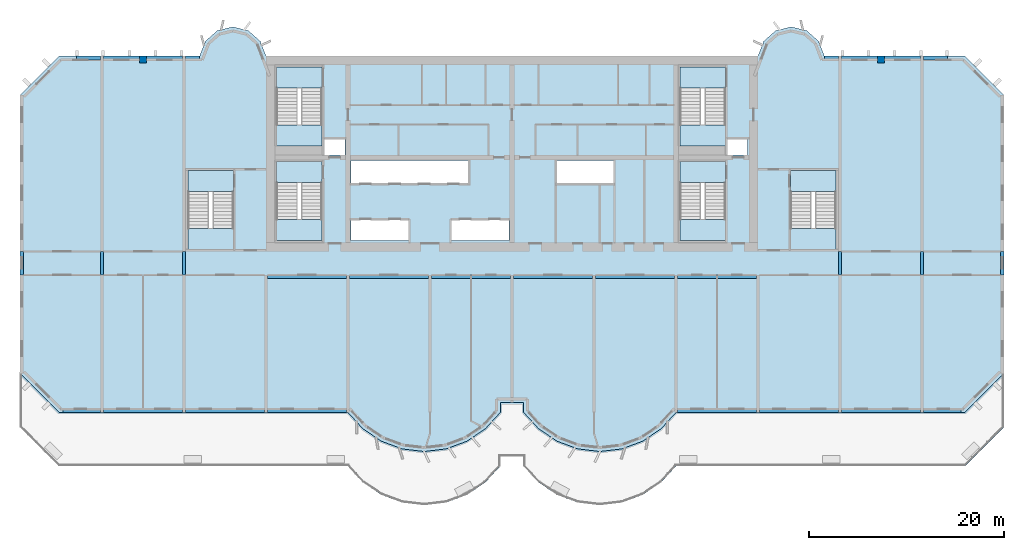
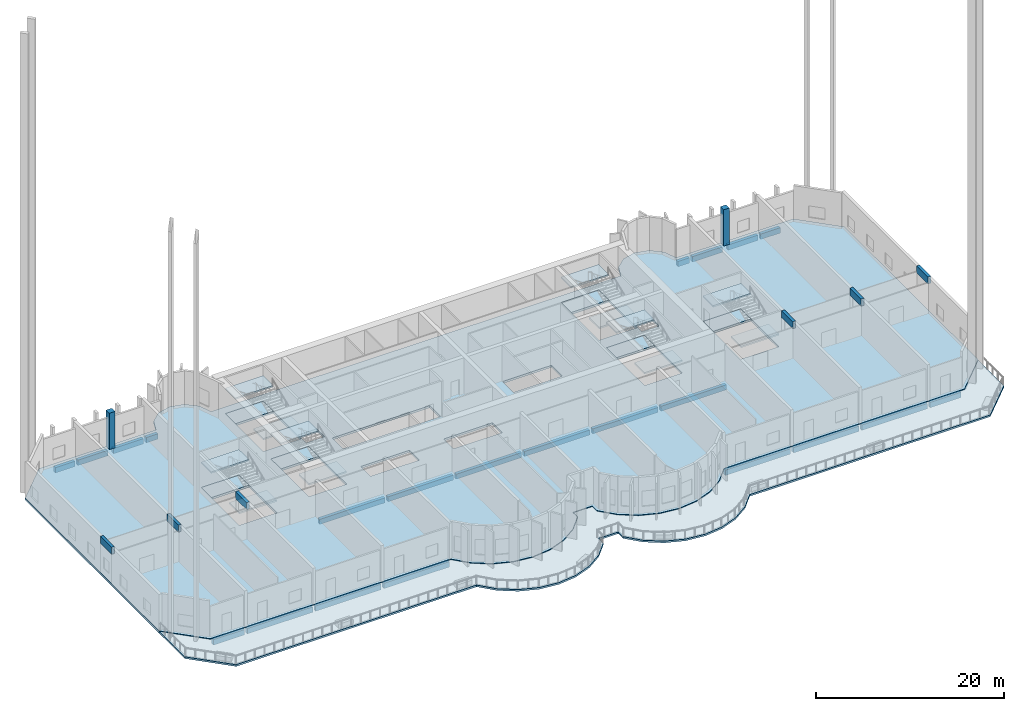
# One storey, part 1 of 13: 28 beams, 20 slabs, 2 columns, 6 elements without a shape of their own.
"""IFC4 building model written with IfcOpenShell, lengths in metres."""

from ifc_helpers import new_model, si_unit, direction, frame, origin, origin_2d, place, context, subcontext, project, spatial, polyline, rectangle, outline, extrude, source, transform, mapped, material, layer, layer_set, material_profile, profile_set, type_object, element, aggregate, save


model = new_model("IFC4")

# Units and contexts
model_context = context("Model", 3, precision=1e-05, world=origin(), true_north=direction((0.0, 1.0)))
body_context = subcontext(model_context, "Body", "Model", "MODEL_VIEW")
ifc_project = project(units=[si_unit("LENGTHUNIT", "METRE"), si_unit("AREAUNIT", "SQUARE_METRE"), si_unit("VOLUMEUNIT", "CUBIC_METRE"), si_unit("PLANEANGLEUNIT", "RADIAN"), si_unit("MASSUNIT", "GRAM", prefix="KILO")], contexts=[model_context])

# Site, building, storey
site_placement = place(None, origin())
site = spatial("IfcSite", under=ifc_project, at=site_placement, CompositionType="ELEMENT")
building_placement = place(site_placement, origin())
building = spatial("IfcBuilding", under=site, at=building_placement, Name="Vanashikhar Sky Hotel", CompositionType="ELEMENT")
storey_placement = place(building_placement, frame((0.0, 0.0, 86.39990234375)))
storey = spatial("IfcBuildingStorey", under=building, at=storey_placement, Name="L20", CompositionType="ELEMENT", Elevation=86.39990234375)

# Columns
ifc_material_1 = material(Name="Concrete M60", Category="concrete")
ifc_material_profile_1 = material_profile(ifc_material_1, rectangle(XDim=0.699951171875, YDim=0.699951171875, at=origin_2d()))
ifc_profile_set_1 = profile_set([ifc_material_profile_1], Name="RC 700x700 column Concrete M60")
column_type = type_object("IfcColumnType", Name="RC 700x700 column Concrete M60", PredefinedType="COLUMN", material=ifc_profile_set_1)
shared_shape_1 = source(origin(), body_context, "Body", "SweptSolid", [
    extrude(rectangle(XDim=0.699951171875, YDim=0.699951171875, at=origin_2d()), origin(), (0.0, 0.0, 1.0), 4.72021484375),
])
for number, where, z_axis, x_axis, name in (
    (1, (12.60009765625, 41.64990234375, 0.0), (0.0, 0.0, 1.0), (1.0, 0.0, 0.0), "CL-L20-CR02"),
    (2, (88.199951171875, 41.64990234375, 0.0), (0.0, 0.0, 1.0), (1.0, 0.0, 0.0), "CL-L20-CR11"),
):
    element("IfcColumn", number, at=place(storey_placement, frame(where, z_axis=z_axis, x_axis=x_axis)), inside=storey, type_object=column_type, Name=name, PredefinedType="COLUMN", context=body_context, shape_type="MappedRepresentation", body=[
        mapped(shared_shape_1, transform((0.0, 0.0, 0.0), scale=1.0)),
    ])

# Beams
ifc_material_2 = material(Name="Concrete M50", Category="concrete")
ifc_material_profile_2 = material_profile(ifc_material_2, rectangle(XDim=0.35009765625, YDim=0.89990234375, at=origin_2d()))
ifc_profile_set_2 = profile_set([ifc_material_profile_2], Name="RC 350x900 beam Concrete M50")
beam_type_1 = type_object("IfcBeamType", Name="RC 350x900 beam Concrete M50", PredefinedType="LINTEL", material=ifc_profile_set_2)
shared_shape_2 = source(origin(), body_context, "Body", "SweptSolid", [
    extrude(rectangle(XDim=0.35009765625, YDim=0.89990234375, at=origin_2d()), origin(), (0.0, 0.0, 1.0), 2.39990234375),
])
for number, where, z_axis, x_axis, name in (
    (3, (0.175048828125, 19.60009765625, 4.27001953125), (0.0, 1.0, 0.0), (-1.0, 0.0, 0.0), "LB-L20-XW01"),
    (4, (8.39990234375, 19.60009765625, 4.27001953125), (0.0, 1.0, 0.0), (-1.0, 0.0, 0.0), "LB-L20-XW02"),
    (5, (16.800048828125, 19.60009765625, 4.27001953125), (0.0, 1.0, 0.0), (-1.0, 0.0, 0.0), "LB-L20-XW03"),
    (6, (84.0, 19.60009765625, 4.27001953125), (0.0, 1.0, 0.0), (-1.0, 0.0, 0.0), "LB-L20-XW11"),
    (7, (92.39990234375, 19.60009765625, 4.27001953125), (0.0, 1.0, 0.0), (-1.0, 0.0, 0.0), "LB-L20-XW12"),
    (8, (100.625, 19.60009765625, 4.27001953125), (0.0, 1.0, 0.0), (-1.0, 0.0, 0.0), "LB-L20-XW13"),
):
    element("IfcBeam", number, at=place(storey_placement, frame(where, z_axis=z_axis, x_axis=x_axis)), inside=storey, type_object=beam_type_1, Name=name, PredefinedType="LINTEL", context=body_context, shape_type="MappedRepresentation", body=[
        mapped(shared_shape_2, transform((0.0, 0.0, 0.0), scale=1.0)),
    ])
ifc_material_profile_3 = material_profile(ifc_material_2, rectangle(XDim=0.39990234375, YDim=0.699951171875, at=origin_2d()))
ifc_profile_set_3 = profile_set([ifc_material_profile_3], Name="RC 400x700 beam Concrete M50")
beam_type_2 = type_object("IfcBeamType", Name="RC 400x700 beam Concrete M50", PredefinedType="SPANDREL", material=ifc_profile_set_3)
shared_shape_3 = source(origin(), body_context, "Body", "SweptSolid", [
    extrude(rectangle(XDim=0.39990234375, YDim=0.699951171875, at=origin_2d()), origin(), (0.0, 0.0, 1.0), 8.050048828125),
])
for number, where, z_axis, x_axis, name in (
    (9, (8.574951171875, 5.699951171875, -0.6298828125), (1.0, 0.0, 0.0), (0.0, 1.0, 0.0), "EB-L20-F01"),
    (10, (25.375, 5.699951171875, -0.6298828125), (1.0, 0.0, 0.0), (0.0, 1.0, 0.0), "EB-L20-F03"),
    (11, (67.375, 5.699951171875, -0.6298828125), (1.0, 0.0, 0.0), (0.0, 1.0, 0.0), "EB-L20-F05"),
    (12, (75.77490234375, 5.699951171875, -0.6298828125), (1.0, 0.0, 0.0), (0.0, 1.0, 0.0), "EB-L20-F06"),
    (13, (84.175048828125, 5.699951171875, -0.6298828125), (1.0, 0.0, 0.0), (0.0, 1.0, 0.0), "EB-L20-F07"),
):
    element("IfcBeam", number, at=place(storey_placement, frame(where, z_axis=z_axis, x_axis=x_axis)), inside=storey, type_object=beam_type_2, Name=name, PredefinedType="SPANDREL", context=body_context, shape_type="MappedRepresentation", body=[
        mapped(shared_shape_3, transform((0.0, 0.0, 0.0), scale=1.0)),
    ])
shared_shape_4 = source(origin(), body_context, "Body", "SweptSolid", [
    extrude(rectangle(XDim=0.39990234375, YDim=0.699951171875, at=origin_2d()), origin(), (0.0, 0.0, 1.0), 8.0498046875),
])
beam_1_placement = place(storey_placement, frame((16.97509765625, 5.699951171875, -0.6298828125), z_axis=(1.0, 0.0, 0.0), x_axis=(0.0, 1.0, 0.0)))
element("IfcBeam", 14, at=beam_1_placement, inside=storey, type_object=beam_type_2, Name="EB-L20-F02", PredefinedType="SPANDREL", context=body_context, shape_type="MappedRepresentation", body=[
    mapped(shared_shape_4, transform((0.0, 0.0, 0.0), scale=1.0)),
])
ifc_material_profile_4 = material_profile(ifc_material_2, rectangle(XDim=0.39990234375, YDim=0.699951171875, at=origin_2d()))
ifc_profile_set_4 = profile_set([ifc_material_profile_4], Name="RC 400x700 cantilever beam Concrete M50")
beam_type_3 = type_object("IfcBeamType", Name="RC 400x700 cantilever beam Concrete M50", PredefinedType="SPANDREL", material=ifc_profile_set_4)
shared_shape_5 = source(origin(), body_context, "Body", "SweptSolid", [
    extrude(rectangle(XDim=0.39990234375, YDim=0.699951171875, at=origin_2d()), origin(), (0.0, 0.0, 1.0), 3.8251953125),
])
beam_2_placement = place(storey_placement, frame((4.39990234375, 5.699951171875, -0.6298828125), z_axis=(1.0, 0.0, 0.0), x_axis=(0.0, 1.0, 0.0)))
element("IfcBeam", 15, at=beam_2_placement, inside=storey, type_object=beam_type_3, Name="EB-L20-F04", PredefinedType="SPANDREL", context=body_context, shape_type="MappedRepresentation", body=[
    mapped(shared_shape_5, transform((0.0, 0.0, 0.0), scale=1.0)),
])
shared_shape_6 = source(origin(), body_context, "Body", "SweptSolid", [
    extrude(rectangle(XDim=0.39990234375, YDim=0.699951171875, at=origin_2d()), origin(), (0.0, 0.0, 1.0), 3.824951171875),
])
beam_3_placement = place(storey_placement, frame((92.574951171875, 5.699951171875, -0.6298828125), z_axis=(1.0, 0.0, 0.0), x_axis=(0.0, 1.0, 0.0)))
element("IfcBeam", 16, at=beam_3_placement, inside=storey, type_object=beam_type_3, Name="EB-L20-F08", PredefinedType="SPANDREL", context=body_context, shape_type="MappedRepresentation", body=[
    mapped(shared_shape_6, transform((0.0, 0.0, 0.0), scale=1.0)),
])
shared_shape_7 = source(origin(), body_context, "Body", "SweptSolid", [
    extrude(rectangle(XDim=0.39990234375, YDim=0.699951171875, at=origin_2d()), origin(), (0.0, 0.0, 1.0), 3.675048828125),
])
for number, where, z_axis, x_axis, name in (
    (17, (8.574951171875, 41.800048828125, -0.6298828125), (1.0, 0.0, 0.0), (0.0, 1.0, 0.0), "EB-L20-R01"),
    (18, (12.949951171875, 41.800048828125, -0.6298828125), (1.0, 0.0, 0.0), (0.0, 1.0, 0.0), "EB-L20-R02"),
    (19, (84.175048828125, 41.800048828125, -0.6298828125), (1.0, 0.0, 0.0), (0.0, 1.0, 0.0), "EB-L20-R05"),
    (20, (88.550048828125, 41.800048828125, -0.6298828125), (1.0, 0.0, 0.0), (0.0, 1.0, 0.0), "EB-L20-R06"),
):
    element("IfcBeam", number, at=place(storey_placement, frame(where, z_axis=z_axis, x_axis=x_axis)), inside=storey, type_object=beam_type_2, Name=name, PredefinedType="SPANDREL", context=body_context, shape_type="MappedRepresentation", body=[
        mapped(shared_shape_7, transform((0.0, 0.0, 0.0), scale=1.0)),
    ])
shared_shape_8 = source(origin(), body_context, "Body", "SweptSolid", [
    extrude(rectangle(XDim=0.39990234375, YDim=0.699951171875, at=origin_2d()), origin(), (0.0, 0.0, 1.0), 2.43017578125),
])
beam_4_placement = place(storey_placement, frame((5.794921875, 41.800048828125, -0.6298828125), z_axis=(1.0, 0.0, 0.0), x_axis=(0.0, 1.0, 0.0)))
element("IfcBeam", 21, at=beam_4_placement, inside=storey, type_object=beam_type_3, Name="EB-L20-R03", PredefinedType="SPANDREL", context=body_context, shape_type="MappedRepresentation", body=[
    mapped(shared_shape_8, transform((0.0, 0.0, 0.0), scale=1.0)),
])
shared_shape_9 = source(origin(), body_context, "Body", "SweptSolid", [
    extrude(rectangle(XDim=0.39990234375, YDim=0.699951171875, at=origin_2d()), origin(), (0.0, 0.0, 1.0), 1.4248046875),
])
beam_5_placement = place(storey_placement, frame((16.97509765625, 41.800048828125, -0.6298828125), z_axis=(1.0, 0.0, 0.0), x_axis=(0.0, 1.0, 0.0)))
element("IfcBeam", 22, at=beam_5_placement, inside=storey, type_object=beam_type_3, Name="EB-L20-R04", PredefinedType="SPANDREL", context=body_context, shape_type="MappedRepresentation", body=[
    mapped(shared_shape_9, transform((0.0, 0.0, 0.0), scale=1.0)),
])
shared_shape_10 = source(origin(), body_context, "Body", "SweptSolid", [
    extrude(rectangle(XDim=0.39990234375, YDim=0.699951171875, at=origin_2d()), origin(), (0.0, 0.0, 1.0), 1.425048828125),
])
beam_6_placement = place(storey_placement, frame((82.39990234375, 41.800048828125, -0.6298828125), z_axis=(1.0, 0.0, 0.0), x_axis=(0.0, 1.0, 0.0)))
element("IfcBeam", 23, at=beam_6_placement, inside=storey, type_object=beam_type_3, Name="EB-L20-R07", PredefinedType="SPANDREL", context=body_context, shape_type="MappedRepresentation", body=[
    mapped(shared_shape_10, transform((0.0, 0.0, 0.0), scale=1.0)),
])
shared_shape_11 = source(origin(), body_context, "Body", "SweptSolid", [
    extrude(rectangle(XDim=0.39990234375, YDim=0.699951171875, at=origin_2d()), origin(), (0.0, 0.0, 1.0), 2.429931640625),
])
beam_7_placement = place(storey_placement, frame((92.574951171875, 41.800048828125, -0.6298828125), z_axis=(1.0, 0.0, 0.0), x_axis=(0.0, 1.0, 0.0)))
element("IfcBeam", 24, at=beam_7_placement, inside=storey, type_object=beam_type_3, Name="EB-L20-R08", PredefinedType="SPANDREL", context=body_context, shape_type="MappedRepresentation", body=[
    mapped(shared_shape_11, transform((0.0, 0.0, 0.0), scale=1.0)),
])
ifc_material_profile_5 = material_profile(ifc_material_2, rectangle(XDim=0.39990234375, YDim=0.64990234375, at=origin_2d()))
ifc_profile_set_5 = profile_set([ifc_material_profile_5], Name="RC 400x650 beam Concrete M50")
beam_type_4 = type_object("IfcBeamType", Name="RC 400x650 beam Concrete M50", PredefinedType="BEAM", material=ifc_profile_set_5)
shared_shape_12 = source(origin(), body_context, "Body", "SweptSolid", [
    extrude(rectangle(XDim=0.39990234375, YDim=0.64990234375, at=origin_2d()), origin(), (0.0, 0.0, 1.0), 8.050048828125),
])
for number, where, z_axis, x_axis, name in (
    (25, (25.375, 19.39990234375, -0.60498046875), (1.0, 0.0, 0.0), (0.0, 1.0, 0.0), "CB-L20-01"),
    (26, (33.77490234375, 19.39990234375, -0.60498046875), (1.0, 0.0, 0.0), (0.0, 1.0, 0.0), "CB-L20-02"),
    (27, (42.175048828125, 19.39990234375, -0.60498046875), (1.0, 0.0, 0.0), (0.0, 1.0, 0.0), "CB-L20-03"),
    (28, (50.574951171875, 19.39990234375, -0.60498046875), (1.0, 0.0, 0.0), (0.0, 1.0, 0.0), "CB-L20-04"),
    (29, (67.375, 19.39990234375, -0.60498046875), (1.0, 0.0, 0.0), (0.0, 1.0, 0.0), "CB-L20-06"),
):
    element("IfcBeam", number, at=place(storey_placement, frame(where, z_axis=z_axis, x_axis=x_axis)), inside=storey, type_object=beam_type_4, Name=name, PredefinedType="BEAM", context=body_context, shape_type="MappedRepresentation", body=[
        mapped(shared_shape_12, transform((0.0, 0.0, 0.0), scale=1.0)),
    ])
shared_shape_13 = source(origin(), body_context, "Body", "SweptSolid", [
    extrude(rectangle(XDim=0.39990234375, YDim=0.64990234375, at=origin_2d()), origin(), (0.0, 0.0, 1.0), 8.0498046875),
])
beam_8_placement = place(storey_placement, frame((58.97509765625, 19.39990234375, -0.60498046875), z_axis=(1.0, 0.0, 0.0), x_axis=(0.0, 1.0, 0.0)))
element("IfcBeam", 30, at=beam_8_placement, inside=storey, type_object=beam_type_4, Name="CB-L20-05", PredefinedType="BEAM", context=body_context, shape_type="MappedRepresentation", body=[
    mapped(shared_shape_13, transform((0.0, 0.0, 0.0), scale=1.0)),
])

# Slabs
ifc_material_3 = material(Name="Concrete M40", Category="concrete")
ifc_layer_1 = layer(ifc_material_3, 0.280029296875)
ifc_layer_set_1 = layer_set([ifc_layer_1], Name="Floor slab 280 mm")
slab_type_1 = type_object("IfcSlabType", Name="Floor slab 280 mm", PredefinedType="FLOOR", material=ifc_layer_set_1)
shared_shape_14 = source(origin(), body_context, "Body", "SweptSolid", [
    extrude(outline(polyline([(49.199951171875, 5.5), (49.199951171875, 6.5), (51.60009765625, 6.5), (51.60009765625, 5.5), (53.133056640625, 3.825927734375), (55.01708984375, 2.55810546875), (57.14599609375, 1.76806640625), (59.39990234375, 1.5), (61.654052734375, 1.76806640625), (63.782958984375, 2.55810546875), (65.6669921875, 3.825927734375), (67.199951171875, 5.5), (96.800048828125, 5.5), (100.800048828125, 9.5), (100.800048828125, 38.0), (96.800048828125, 42.0), (82.39990234375, 42.0), (81.81494140625, 43.527099609375), (80.587890625, 44.610107421875), (79.0, 45.0), (77.412109375, 44.610107421875), (76.18505859375, 43.527099609375), (75.60009765625, 42.0), (25.199951171875, 42.0), (24.614990234375, 43.527099609375), (23.387939453125, 44.610107421875), (21.800048828125, 45.0), (20.2119140625, 44.610107421875), (18.985107421875, 43.527099609375), (18.39990234375, 42.0), (4.0, 42.0), (0.0, 38.0), (0.0, 9.5), (4.0, 5.5), (33.60009765625, 5.5), (35.133056640625, 3.825927734375), (37.01708984375, 2.55810546875), (39.14599609375, 1.76806640625), (41.39990234375, 1.5), (43.654052734375, 1.76806640625), (45.782958984375, 2.55810546875), (47.6669921875, 3.825927734375), (49.199951171875, 5.5)]), holes=[polyline([(33.300048828125, 33.60009765625), (31.050048828125, 33.60009765625), (31.050048828125, 31.89990234375), (33.300048828125, 31.89990234375), (33.300048828125, 33.60009765625)]), polyline([(33.89990234375, 25.199951171875), (33.89990234375, 23.10009765625), (39.89990234375, 23.10009765625), (39.89990234375, 25.199951171875), (33.89990234375, 25.199951171875)]), polyline([(33.89990234375, 31.300048828125), (33.89990234375, 29.0), (45.89990234375, 29.0), (45.89990234375, 31.300048828125), (33.89990234375, 31.300048828125)]), polyline([(44.10009765625, 25.199951171875), (44.10009765625, 23.10009765625), (50.10009765625, 23.10009765625), (50.10009765625, 25.199951171875), (44.10009765625, 25.199951171875)]), polyline([(54.89990234375, 31.300048828125), (54.89990234375, 29.0), (60.89990234375, 29.0), (60.89990234375, 31.300048828125), (54.89990234375, 31.300048828125)]), polyline([(74.5, 33.60009765625), (72.35009765625, 33.60009765625), (72.35009765625, 31.89990234375), (74.5, 31.89990234375), (74.5, 33.60009765625)]), polyline([(30.949951171875, 23.10009765625), (30.949951171875, 31.199951171875), (26.300048828125, 31.199951171875), (26.300048828125, 23.10009765625), (30.949951171875, 23.10009765625)]), polyline([(72.25, 23.10009765625), (72.25, 31.199951171875), (67.60009765625, 31.199951171875), (67.60009765625, 23.10009765625), (72.25, 23.10009765625)]), polyline([(30.949951171875, 32.800048828125), (30.949951171875, 40.89990234375), (26.300048828125, 40.89990234375), (26.300048828125, 32.800048828125), (30.949951171875, 32.800048828125)]), polyline([(72.25, 32.800048828125), (72.25, 40.89990234375), (67.60009765625, 40.89990234375), (67.60009765625, 32.800048828125), (72.25, 32.800048828125)]), polyline([(83.60009765625, 22.199951171875), (83.60009765625, 30.300048828125), (78.949951171875, 30.300048828125), (78.949951171875, 22.199951171875), (83.60009765625, 22.199951171875)]), polyline([(21.85009765625, 22.199951171875), (21.85009765625, 30.300048828125), (17.199951171875, 30.300048828125), (17.199951171875, 22.199951171875), (21.85009765625, 22.199951171875)])]), origin(), (0.0, 0.0, 1.0), 0.27978515625),
])
slab_1_placement = place(storey_placement, frame((0.0, 0.0, -0.27978515625)))
element("IfcSlab", 31, at=slab_1_placement, inside=storey, type_object=slab_type_1, Name="Floor slab L20", PredefinedType="FLOOR", context=body_context, shape_type="MappedRepresentation", body=[
    mapped(shared_shape_14, transform((0.0, 0.0, 0.0), scale=1.0)),
])
ifc_layer_2 = layer(ifc_material_3, 0.22998046875)
ifc_layer_set_2 = layer_set([ifc_layer_2], Name="Terrace roof slab 230 mm")
slab_type_2 = type_object("IfcSlabType", Name="Terrace roof slab 230 mm", PredefinedType="ROOF", material=ifc_layer_set_2)
shared_shape_15 = source(origin(), body_context, "Body", "SweptSolid", [
    extrude(outline(polyline([(47.666015625, -1.672119140625), (49.197998046875, 0.0009765625), (49.197998046875, 1.001953125), (51.60205078125, 1.001953125), (51.60205078125, 0.0009765625), (53.134033203125, -1.672119140625), (55.01806640625, -2.93994140625), (57.14599609375, -3.72998046875), (59.39990234375, -3.998046875), (61.654052734375, -3.72998046875), (63.781982421875, -2.93994140625), (65.666015625, -1.672119140625), (67.198974609375, 0.001953125), (96.799072265625, 0.001953125), (100.798095703125, 4.0009765625), (100.798095703125, 9.4951171875), (96.801025390625, 5.498046875), (67.200927734375, 5.498046875), (65.66796875, 3.823974609375), (63.783935546875, 2.555908203125), (61.654052734375, 1.76611328125), (59.39990234375, 1.498046875), (57.14599609375, 1.76611328125), (55.01611328125, 2.555908203125), (53.132080078125, 3.823974609375), (51.597900390625, 5.4990234375), (51.597900390625, 6.498046875), (49.201904296875, 6.498046875), (49.201904296875, 5.4990234375), (47.66796875, 3.823974609375), (45.783935546875, 2.555908203125), (43.654052734375, 1.76611328125), (41.39990234375, 1.498046875), (39.14599609375, 1.76611328125), (37.01611328125, 2.555908203125), (35.132080078125, 3.823974609375), (33.59912109375, 5.498046875), (3.9990234375, 5.498046875), (0.001953125, 9.4951171875), (0.001953125, 4.0009765625), (4.0009765625, 0.001953125), (33.60107421875, 0.001953125), (35.134033203125, -1.672119140625), (37.01806640625, -2.93994140625), (39.14599609375, -3.72998046875), (41.39990234375, -3.998046875), (43.654052734375, -3.72998046875), (45.781982421875, -2.93994140625), (47.666015625, -1.672119140625)])), origin(), (0.0, 0.0, 1.0), 0.22998046875),
])
slab_2_placement = place(storey_placement, frame((0.0, 0.0, -0.27978515625)))
element("IfcSlab", 32, at=slab_2_placement, inside=storey, type_object=slab_type_2, Name="Terrace roof slab L20 1", PredefinedType="ROOF", context=body_context, shape_type="MappedRepresentation", body=[
    mapped(shared_shape_15, transform((0.0, 0.0, 0.0), scale=1.0)),
])

# Stair, slabs
stair_type = type_object("IfcStairType", Name="Exit stair 2150", PredefinedType="DOUBLE_RETURN_STAIR", material=ifc_material_3)
stair_1_placement = place(storey_placement, origin())
stair_1 = element("IfcStair", 33, at=stair_1_placement, inside=storey, type_object=stair_type, Name="L20 Exit stair 1", PredefinedType="DOUBLE_RETURN_STAIR")
ifc_layer_3 = layer(ifc_material_3, 0.199951171875)
ifc_layer_set_3 = layer_set([ifc_layer_3], Name="Stair landing 200")
slab_type_3 = type_object("IfcSlabType", Name="Stair landing 200", PredefinedType="LANDING", material=ifc_layer_set_3)
shared_shape_16 = source(origin(), body_context, "Body", "SweptSolid", [
    extrude(outline(polyline([(30.949951171875, 29.050048828125), (30.949951171875, 31.199951171875), (26.300048828125, 31.199951171875), (26.300048828125, 29.050048828125), (30.949951171875, 29.050048828125)])), origin(), (0.0, 0.0, 1.0), 0.199951171875),
])
slab_3_placement = place(storey_placement, frame((0.0, 0.0, 3.133544921875)))
slab_3 = element("IfcSlab", 34, at=slab_3_placement, type_object=slab_type_3, Name="ST-C1 landing 2", PredefinedType="LANDING", context=body_context, shape_type="MappedRepresentation", body=[
    mapped(shared_shape_16, transform((0.0, 0.0, 0.0), scale=1.0)),
])
shared_shape_17 = source(origin(), body_context, "Body", "SweptSolid", [
    extrude(outline(polyline([(30.949951171875, 23.10009765625), (30.949951171875, 25.25), (26.300048828125, 25.25), (26.300048828125, 23.10009765625), (30.949951171875, 23.10009765625)])), origin(), (0.0, 0.0, 1.0), 0.199951171875),
])
slab_4_placement = place(storey_placement, frame((0.0, 0.0, 1.466796875)))
slab_4 = element("IfcSlab", 35, at=slab_4_placement, type_object=slab_type_3, Name="ST-C1 landing 1", PredefinedType="LANDING", context=body_context, shape_type="MappedRepresentation", body=[
    mapped(shared_shape_17, transform((0.0, 0.0, 0.0), scale=1.0)),
])
aggregate(stair_1, [slab_4, slab_3])

# Slab
ifc_layer_4 = layer(ifc_material_3, 0.280029296875)
ifc_layer_set_4 = layer_set([ifc_layer_4], Name="Stair floor landing 280")
slab_type_4 = type_object("IfcSlabType", Name="Stair floor landing 280", PredefinedType="LANDING", material=ifc_layer_set_4)
shared_shape_18 = source(origin(), body_context, "Body", "SweptSolid", [
    extrude(outline(polyline([(30.949951171875, 29.050048828125), (30.949951171875, 31.199951171875), (26.300048828125, 31.199951171875), (26.300048828125, 29.050048828125), (30.949951171875, 29.050048828125)])), origin(), (0.0, 0.0, 1.0), 0.27978515625),
])
slab_5_placement = place(storey_placement, frame((0.0, 0.0, -0.27978515625)))
element("IfcSlab", 36, at=slab_5_placement, inside=storey, type_object=slab_type_4, Name="Exit stair 1 floor landing", PredefinedType="LANDING", context=body_context, shape_type="MappedRepresentation", body=[
    mapped(shared_shape_18, transform((0.0, 0.0, 0.0), scale=1.0)),
])

# Stair, slabs
stair_2_placement = place(storey_placement, origin())
stair_2 = element("IfcStair", 37, at=stair_2_placement, inside=storey, type_object=stair_type, Name="L20 Exit stair 2", PredefinedType="DOUBLE_RETURN_STAIR")
shared_shape_19 = source(origin(), body_context, "Body", "SweptSolid", [
    extrude(outline(polyline([(72.25, 29.050048828125), (72.25, 31.199951171875), (67.60009765625, 31.199951171875), (67.60009765625, 29.050048828125), (72.25, 29.050048828125)])), origin(), (0.0, 0.0, 1.0), 0.199951171875),
])
slab_6_placement = place(storey_placement, frame((0.0, 0.0, 3.133544921875)))
slab_6 = element("IfcSlab", 38, at=slab_6_placement, type_object=slab_type_3, Name="ST-C2 landing 2", PredefinedType="LANDING", context=body_context, shape_type="MappedRepresentation", body=[
    mapped(shared_shape_19, transform((0.0, 0.0, 0.0), scale=1.0)),
])
shared_shape_20 = source(origin(), body_context, "Body", "SweptSolid", [
    extrude(outline(polyline([(72.25, 23.10009765625), (72.25, 25.25), (67.60009765625, 25.25), (67.60009765625, 23.10009765625), (72.25, 23.10009765625)])), origin(), (0.0, 0.0, 1.0), 0.199951171875),
])
slab_7_placement = place(storey_placement, frame((0.0, 0.0, 1.466796875)))
slab_7 = element("IfcSlab", 39, at=slab_7_placement, type_object=slab_type_3, Name="ST-C2 landing 1", PredefinedType="LANDING", context=body_context, shape_type="MappedRepresentation", body=[
    mapped(shared_shape_20, transform((0.0, 0.0, 0.0), scale=1.0)),
])
aggregate(stair_2, [slab_7, slab_6])

# Slab
shared_shape_21 = source(origin(), body_context, "Body", "SweptSolid", [
    extrude(outline(polyline([(72.25, 29.050048828125), (72.25, 31.199951171875), (67.60009765625, 31.199951171875), (67.60009765625, 29.050048828125), (72.25, 29.050048828125)])), origin(), (0.0, 0.0, 1.0), 0.27978515625),
])
slab_8_placement = place(storey_placement, frame((0.0, 0.0, -0.27978515625)))
element("IfcSlab", 40, at=slab_8_placement, inside=storey, type_object=slab_type_4, Name="Exit stair 2 floor landing", PredefinedType="LANDING", context=body_context, shape_type="MappedRepresentation", body=[
    mapped(shared_shape_21, transform((0.0, 0.0, 0.0), scale=1.0)),
])

# Stair, slabs
stair_3_placement = place(storey_placement, origin())
stair_3 = element("IfcStair", 41, at=stair_3_placement, inside=storey, type_object=stair_type, Name="L20 Exit stair 3", PredefinedType="DOUBLE_RETURN_STAIR")
shared_shape_22 = source(origin(), body_context, "Body", "SweptSolid", [
    extrude(outline(polyline([(21.85009765625, 28.14990234375), (21.85009765625, 30.300048828125), (17.199951171875, 30.300048828125), (17.199951171875, 28.14990234375), (21.85009765625, 28.14990234375)])), origin(), (0.0, 0.0, 1.0), 0.199951171875),
])
slab_9_placement = place(storey_placement, frame((0.0, 0.0, 3.133544921875)))
slab_9 = element("IfcSlab", 42, at=slab_9_placement, type_object=slab_type_3, Name="ST-W landing 2", PredefinedType="LANDING", context=body_context, shape_type="MappedRepresentation", body=[
    mapped(shared_shape_22, transform((0.0, 0.0, 0.0), scale=1.0)),
])
shared_shape_23 = source(origin(), body_context, "Body", "SweptSolid", [
    extrude(outline(polyline([(21.85009765625, 22.199951171875), (21.85009765625, 24.35009765625), (17.199951171875, 24.35009765625), (17.199951171875, 22.199951171875), (21.85009765625, 22.199951171875)])), origin(), (0.0, 0.0, 1.0), 0.199951171875),
])
slab_10_placement = place(storey_placement, frame((0.0, 0.0, 1.466796875)))
slab_10 = element("IfcSlab", 43, at=slab_10_placement, type_object=slab_type_3, Name="ST-W landing 1", PredefinedType="LANDING", context=body_context, shape_type="MappedRepresentation", body=[
    mapped(shared_shape_23, transform((0.0, 0.0, 0.0), scale=1.0)),
])
aggregate(stair_3, [slab_10, slab_9])

# Slab
shared_shape_24 = source(origin(), body_context, "Body", "SweptSolid", [
    extrude(outline(polyline([(21.85009765625, 28.14990234375), (21.85009765625, 30.300048828125), (17.199951171875, 30.300048828125), (17.199951171875, 28.14990234375), (21.85009765625, 28.14990234375)])), origin(), (0.0, 0.0, 1.0), 0.27978515625),
])
slab_11_placement = place(storey_placement, frame((0.0, 0.0, -0.27978515625)))
element("IfcSlab", 44, at=slab_11_placement, inside=storey, type_object=slab_type_4, Name="Exit stair 3 floor landing", PredefinedType="LANDING", context=body_context, shape_type="MappedRepresentation", body=[
    mapped(shared_shape_24, transform((0.0, 0.0, 0.0), scale=1.0)),
])

# Stair, slabs
stair_4_placement = place(storey_placement, origin())
stair_4 = element("IfcStair", 45, at=stair_4_placement, inside=storey, type_object=stair_type, Name="L20 Exit stair 4", PredefinedType="DOUBLE_RETURN_STAIR")
shared_shape_25 = source(origin(), body_context, "Body", "SweptSolid", [
    extrude(outline(polyline([(83.60009765625, 28.14990234375), (83.60009765625, 30.300048828125), (78.949951171875, 30.300048828125), (78.949951171875, 28.14990234375), (83.60009765625, 28.14990234375)])), origin(), (0.0, 0.0, 1.0), 0.199951171875),
])
slab_12_placement = place(storey_placement, frame((0.0, 0.0, 3.133544921875)))
slab_12 = element("IfcSlab", 46, at=slab_12_placement, type_object=slab_type_3, Name="ST-E landing 2", PredefinedType="LANDING", context=body_context, shape_type="MappedRepresentation", body=[
    mapped(shared_shape_25, transform((0.0, 0.0, 0.0), scale=1.0)),
])
shared_shape_26 = source(origin(), body_context, "Body", "SweptSolid", [
    extrude(outline(polyline([(83.60009765625, 22.199951171875), (83.60009765625, 24.35009765625), (78.949951171875, 24.35009765625), (78.949951171875, 22.199951171875), (83.60009765625, 22.199951171875)])), origin(), (0.0, 0.0, 1.0), 0.199951171875),
])
slab_13_placement = place(storey_placement, frame((0.0, 0.0, 1.466796875)))
slab_13 = element("IfcSlab", 47, at=slab_13_placement, type_object=slab_type_3, Name="ST-E landing 1", PredefinedType="LANDING", context=body_context, shape_type="MappedRepresentation", body=[
    mapped(shared_shape_26, transform((0.0, 0.0, 0.0), scale=1.0)),
])
aggregate(stair_4, [slab_13, slab_12])

# Slab
shared_shape_27 = source(origin(), body_context, "Body", "SweptSolid", [
    extrude(outline(polyline([(83.60009765625, 28.14990234375), (83.60009765625, 30.300048828125), (78.949951171875, 30.300048828125), (78.949951171875, 28.14990234375), (83.60009765625, 28.14990234375)])), origin(), (0.0, 0.0, 1.0), 0.27978515625),
])
slab_14_placement = place(storey_placement, frame((0.0, 0.0, -0.27978515625)))
element("IfcSlab", 48, at=slab_14_placement, inside=storey, type_object=slab_type_4, Name="Exit stair 4 floor landing", PredefinedType="LANDING", context=body_context, shape_type="MappedRepresentation", body=[
    mapped(shared_shape_27, transform((0.0, 0.0, 0.0), scale=1.0)),
])

# Stair, slabs
stair_5_placement = place(storey_placement, origin())
stair_5 = element("IfcStair", 49, at=stair_5_placement, inside=storey, type_object=stair_type, Name="L20 Exit stair 5", PredefinedType="DOUBLE_RETURN_STAIR")
shared_shape_28 = source(origin(), body_context, "Body", "SweptSolid", [
    extrude(outline(polyline([(30.949951171875, 38.75), (30.949951171875, 40.89990234375), (26.300048828125, 40.89990234375), (26.300048828125, 38.75), (30.949951171875, 38.75)])), origin(), (0.0, 0.0, 1.0), 0.199951171875),
])
slab_15_placement = place(storey_placement, frame((0.0, 0.0, 3.133544921875)))
slab_15 = element("IfcSlab", 50, at=slab_15_placement, type_object=slab_type_3, Name="ST-C3 landing 2", PredefinedType="LANDING", context=body_context, shape_type="MappedRepresentation", body=[
    mapped(shared_shape_28, transform((0.0, 0.0, 0.0), scale=1.0)),
])
shared_shape_29 = source(origin(), body_context, "Body", "SweptSolid", [
    extrude(outline(polyline([(30.949951171875, 32.800048828125), (30.949951171875, 34.949951171875), (26.300048828125, 34.949951171875), (26.300048828125, 32.800048828125), (30.949951171875, 32.800048828125)])), origin(), (0.0, 0.0, 1.0), 0.199951171875),
])
slab_16_placement = place(storey_placement, frame((0.0, 0.0, 1.466796875)))
slab_16 = element("IfcSlab", 51, at=slab_16_placement, type_object=slab_type_3, Name="ST-C3 landing 1", PredefinedType="LANDING", context=body_context, shape_type="MappedRepresentation", body=[
    mapped(shared_shape_29, transform((0.0, 0.0, 0.0), scale=1.0)),
])
aggregate(stair_5, [slab_16, slab_15])

# Slab
shared_shape_30 = source(origin(), body_context, "Body", "SweptSolid", [
    extrude(outline(polyline([(30.949951171875, 38.75), (30.949951171875, 40.89990234375), (26.300048828125, 40.89990234375), (26.300048828125, 38.75), (30.949951171875, 38.75)])), origin(), (0.0, 0.0, 1.0), 0.27978515625),
])
slab_17_placement = place(storey_placement, frame((0.0, 0.0, -0.27978515625)))
element("IfcSlab", 52, at=slab_17_placement, inside=storey, type_object=slab_type_4, Name="Exit stair 5 floor landing", PredefinedType="LANDING", context=body_context, shape_type="MappedRepresentation", body=[
    mapped(shared_shape_30, transform((0.0, 0.0, 0.0), scale=1.0)),
])

# Stair, slabs
stair_6_placement = place(storey_placement, origin())
stair_6 = element("IfcStair", 53, at=stair_6_placement, inside=storey, type_object=stair_type, Name="L20 Exit stair 6", PredefinedType="DOUBLE_RETURN_STAIR")
shared_shape_31 = source(origin(), body_context, "Body", "SweptSolid", [
    extrude(outline(polyline([(72.25, 38.75), (72.25, 40.89990234375), (67.60009765625, 40.89990234375), (67.60009765625, 38.75), (72.25, 38.75)])), origin(), (0.0, 0.0, 1.0), 0.199951171875),
])
slab_18_placement = place(storey_placement, frame((0.0, 0.0, 3.133544921875)))
slab_18 = element("IfcSlab", 54, at=slab_18_placement, type_object=slab_type_3, Name="ST-C4 landing 2", PredefinedType="LANDING", context=body_context, shape_type="MappedRepresentation", body=[
    mapped(shared_shape_31, transform((0.0, 0.0, 0.0), scale=1.0)),
])
shared_shape_32 = source(origin(), body_context, "Body", "SweptSolid", [
    extrude(outline(polyline([(72.25, 32.800048828125), (72.25, 34.949951171875), (67.60009765625, 34.949951171875), (67.60009765625, 32.800048828125), (72.25, 32.800048828125)])), origin(), (0.0, 0.0, 1.0), 0.199951171875),
])
slab_19_placement = place(storey_placement, frame((0.0, 0.0, 1.466796875)))
slab_19 = element("IfcSlab", 55, at=slab_19_placement, type_object=slab_type_3, Name="ST-C4 landing 1", PredefinedType="LANDING", context=body_context, shape_type="MappedRepresentation", body=[
    mapped(shared_shape_32, transform((0.0, 0.0, 0.0), scale=1.0)),
])
aggregate(stair_6, [slab_19, slab_18])

# Slab
shared_shape_33 = source(origin(), body_context, "Body", "SweptSolid", [
    extrude(outline(polyline([(72.25, 38.75), (72.25, 40.89990234375), (67.60009765625, 40.89990234375), (67.60009765625, 38.75), (72.25, 38.75)])), origin(), (0.0, 0.0, 1.0), 0.27978515625),
])
slab_20_placement = place(storey_placement, frame((0.0, 0.0, -0.27978515625)))
element("IfcSlab", 56, at=slab_20_placement, inside=storey, type_object=slab_type_4, Name="Exit stair 6 floor landing", PredefinedType="LANDING", context=body_context, shape_type="MappedRepresentation", body=[
    mapped(shared_shape_33, transform((0.0, 0.0, 0.0), scale=1.0)),
])

save(model, "model.ifc")
